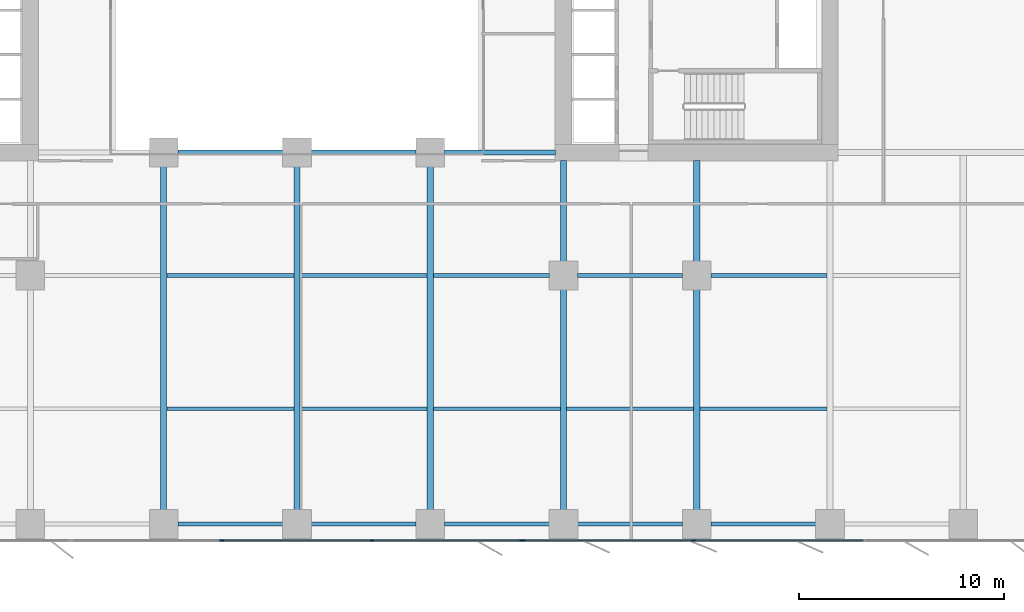
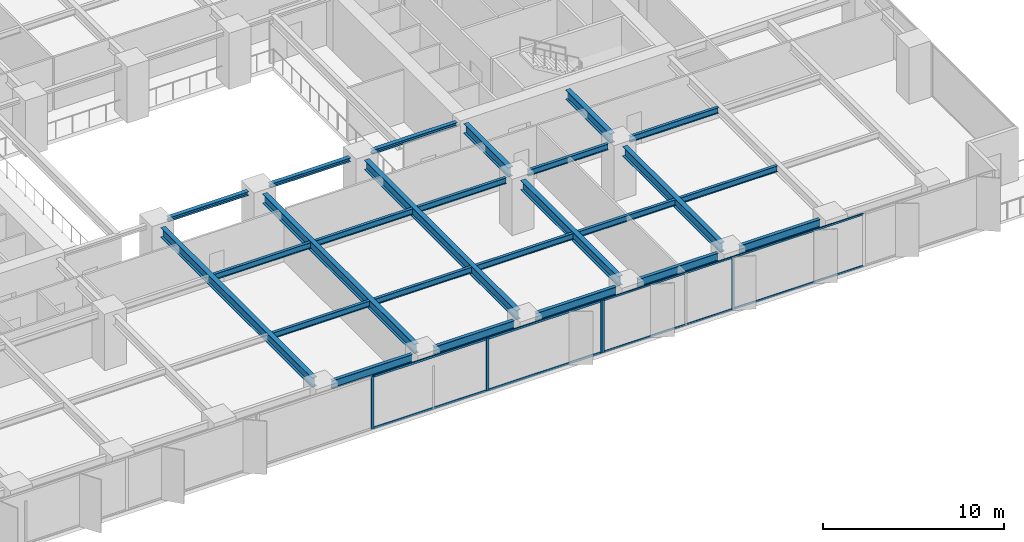
# One storey, part 5 of 20: 25 beams, 13 members, 2 elements without a shape of their own.
"""IFC4 building model written with IfcOpenShell, lengths in metres."""

from ifc_helpers import new_model, si_unit, direction, frame, origin, origin_2d, place, context, subcontext, project, spatial, rectangle, i_section, extrude, material, layer, layer_set, material_profile, profile_set, type_object, element, aggregate, save


model = new_model("IFC4")

# Units and contexts
model_context = context("Model", 3, precision=1e-05, world=origin(), true_north=direction((0.0, 1.0)))
body_context = subcontext(model_context, "Body", "Model", "MODEL_VIEW")
ifc_project = project(units=[si_unit("LENGTHUNIT", "METRE"), si_unit("AREAUNIT", "SQUARE_METRE"), si_unit("VOLUMEUNIT", "CUBIC_METRE"), si_unit("PLANEANGLEUNIT", "RADIAN"), si_unit("MASSUNIT", "GRAM", prefix="KILO")], contexts=[model_context])

# Site, building, storey
site_placement = place(None, origin())
site = spatial("IfcSite", under=ifc_project, at=site_placement, CompositionType="ELEMENT")
building_placement = place(site_placement, origin())
building = spatial("IfcBuilding", under=site, at=building_placement, Name="Putna Gate Headquarters", CompositionType="ELEMENT")
storey_placement = place(building_placement, frame((0.0, 0.0, 43.0)))
storey = spatial("IfcBuildingStorey", under=building, at=storey_placement, Name="L09", CompositionType="ELEMENT", Elevation=43.0)

# Beams
ifc_material_1 = material(Name="Steel S355J2", Category="steel")
ifc_material_profile_1 = material_profile(ifc_material_1, i_section(OverallWidth=0.260009765625, OverallDepth=0.260009765625, WebThickness=0.010009765625, FlangeThickness=0.017578125, at=origin_2d()), Name="Steel S355J2")
ifc_profile_set_1 = profile_set([ifc_material_profile_1], Name="Steel S355J2")
beam_type_1 = type_object("IfcBeamType", Name="BM-ATRIUM-HEB260", PredefinedType="BEAM", material=ifc_profile_set_1)
for number, where, z_axis, x_axis, name in (
    (1, (33.18798828125, 19.0, 3.419921875), (1.0, 0.0, 0.0), (0.0, 1.0, 0.0), "L09 Atrium Edge Beam AS2"),
    (2, (39.68798828125, 19.0, 3.419921875), (1.0, 0.0, 0.0), (0.0, 1.0, 0.0), "L09 Atrium Edge Beam AS3"),
):
    element("IfcBeam", number, at=place(storey_placement, frame(where, z_axis=z_axis, x_axis=x_axis)), inside=storey, type_object=beam_type_1, Name=name, PredefinedType="BEAM", context=body_context, shape_type="SweptSolid", body=[
        extrude(i_section(OverallWidth=0.260009765625, OverallDepth=0.260009765625, WebThickness=0.010009765625, FlangeThickness=0.017578125, at=origin_2d()), origin(), (0.0, 0.0, 1.0), 5.1240234375),
    ])
beam_1_placement = place(storey_placement, frame((46.18798828125, 19.0, 3.419921875), z_axis=(1.0, 0.0, 0.0), x_axis=(0.0, 1.0, 0.0)))
element("IfcBeam", 3, at=beam_1_placement, inside=storey, type_object=beam_type_1, Name="L09 Atrium Edge Beam AS4", PredefinedType="BEAM", context=body_context, shape_type="SweptSolid", body=[
    extrude(i_section(OverallWidth=0.260009765625, OverallDepth=0.260009765625, WebThickness=0.010009765625, FlangeThickness=0.017578125, at=origin_2d()), origin(), (0.0, 0.0, 1.0), 5.427001953125),
])
ifc_material_profile_2 = material_profile(ifc_material_1, i_section(OverallWidth=0.300048828125, OverallDepth=0.64990234375, WebThickness=0.01611328125, FlangeThickness=0.031005859375, at=origin_2d()), Name="Steel S355J2")
ifc_profile_set_2 = profile_set([ifc_material_profile_2], Name="Steel S355J2")
beam_type_2 = type_object("IfcBeamType", Name="BM-GIRD-Z1-HEB650", PredefinedType="USERDEFINED", material=ifc_profile_set_2)
for number, where, z_axis, x_axis, name in (
    (4, (32.5, 1.568115234375, 3.22509765625), (0.0, 1.0, 0.0), (-1.0, 0.0, 0.0), "L09 South Primary Girder X32"),
    (5, (39.0, 1.568115234375, 3.22509765625), (0.0, 1.0, 0.0), (-1.0, 0.0, 0.0), "L09 South Primary Girder X39"),
    (6, (45.5, 1.568115234375, 3.22509765625), (0.0, 1.0, 0.0), (-1.0, 0.0, 0.0), "L09 South Primary Girder X45"),
):
    element("IfcBeam", number, at=place(storey_placement, frame(where, z_axis=z_axis, x_axis=x_axis)), inside=storey, type_object=beam_type_2, Name=name, ObjectType="GIRDER", PredefinedType="USERDEFINED", context=body_context, shape_type="SweptSolid", body=[
        extrude(i_section(OverallWidth=0.300048828125, OverallDepth=0.64990234375, WebThickness=0.01611328125, FlangeThickness=0.031005859375, at=origin_2d()), origin(), (0.0, 0.0, 1.0), 16.743896484375),
    ])
beam_2_placement = place(storey_placement, frame((52.0, 1.568115234375, 3.22509765625), z_axis=(0.0, 1.0, 0.0), x_axis=(-1.0, 0.0, 0.0)))
element("IfcBeam", 7, at=beam_2_placement, inside=storey, type_object=beam_type_2, Name="L09 South Primary Girder X52-1", ObjectType="GIRDER", PredefinedType="USERDEFINED", context=body_context, shape_type="SweptSolid", body=[
    extrude(i_section(OverallWidth=0.300048828125, OverallDepth=0.64990234375, WebThickness=0.01611328125, FlangeThickness=0.031005859375, at=origin_2d()), origin(), (0.0, 0.0, 1.0), 10.743896484375),
])
beam_3_placement = place(storey_placement, frame((52.0, 13.68798828125, 3.22509765625), z_axis=(0.0, 1.0, 0.0), x_axis=(-1.0, 0.0, 0.0)))
element("IfcBeam", 8, at=beam_3_placement, inside=storey, type_object=beam_type_2, Name="L09 South Primary Girder X52-2", ObjectType="GIRDER", PredefinedType="USERDEFINED", context=body_context, shape_type="SweptSolid", body=[
    extrude(i_section(OverallWidth=0.300048828125, OverallDepth=0.64990234375, WebThickness=0.01611328125, FlangeThickness=0.031005859375, at=origin_2d()), origin(), (0.0, 0.0, 1.0), 4.927001953125),
])
beam_4_placement = place(storey_placement, frame((58.5, 1.568115234375, 3.22509765625), z_axis=(0.0, 1.0, 0.0), x_axis=(-1.0, 0.0, 0.0)))
element("IfcBeam", 9, at=beam_4_placement, inside=storey, type_object=beam_type_2, Name="L09 South Primary Girder X58-1", ObjectType="GIRDER", PredefinedType="USERDEFINED", context=body_context, shape_type="SweptSolid", body=[
    extrude(i_section(OverallWidth=0.300048828125, OverallDepth=0.64990234375, WebThickness=0.01611328125, FlangeThickness=0.031005859375, at=origin_2d()), origin(), (0.0, 0.0, 1.0), 10.743896484375),
])
beam_5_placement = place(storey_placement, frame((58.5, 13.68798828125, 3.22509765625), z_axis=(0.0, 1.0, 0.0), x_axis=(-1.0, 0.0, 0.0)))
element("IfcBeam", 10, at=beam_5_placement, inside=storey, type_object=beam_type_2, Name="L09 South Primary Girder X58-2", ObjectType="GIRDER", PredefinedType="USERDEFINED", context=body_context, shape_type="SweptSolid", body=[
    extrude(i_section(OverallWidth=0.300048828125, OverallDepth=0.64990234375, WebThickness=0.01611328125, FlangeThickness=0.031005859375, at=origin_2d()), origin(), (0.0, 0.0, 1.0), 4.927001953125),
])
ifc_material_profile_3 = material_profile(ifc_material_1, i_section(OverallWidth=0.179931640625, OverallDepth=0.39990234375, WebThickness=0.008544921875, FlangeThickness=0.013427734375, at=origin_2d()), Name="Steel S355J2")
ifc_profile_set_3 = profile_set([ifc_material_profile_3], Name="Steel S355J2")
beam_type_3 = type_object("IfcBeamType", Name="BM-SEC-Z1-IPE400", PredefinedType="BEAM", material=ifc_profile_set_3)
for number, where, z_axis, x_axis, name in (
    (11, (32.654052734375, 6.5, 3.35009765625), (1.0, 0.0, 0.0), (0.0, 1.0, 0.0), "L09 South Secondary Beam 5"),
    (12, (32.654052734375, 13.0, 3.35009765625), (1.0, 0.0, 0.0), (0.0, 1.0, 0.0), "L09 South Secondary Beam 5"),
    (13, (39.154052734375, 6.5, 3.35009765625), (1.0, 0.0, 0.0), (0.0, 1.0, 0.0), "L09 South Secondary Beam 6"),
    (14, (39.154052734375, 13.0, 3.35009765625), (1.0, 0.0, 0.0), (0.0, 1.0, 0.0), "L09 South Secondary Beam 6"),
    (15, (45.654052734375, 6.5, 3.35009765625), (1.0, 0.0, 0.0), (0.0, 1.0, 0.0), "L09 South Secondary Beam 7"),
):
    element("IfcBeam", number, at=place(storey_placement, frame(where, z_axis=z_axis, x_axis=x_axis)), inside=storey, type_object=beam_type_3, Name=name, PredefinedType="BEAM", context=body_context, shape_type="SweptSolid", body=[
        extrude(i_section(OverallWidth=0.179931640625, OverallDepth=0.39990234375, WebThickness=0.008544921875, FlangeThickness=0.013427734375, at=origin_2d()), origin(), (0.0, 0.0, 1.0), 6.19189453125),
    ])
beam_6_placement = place(storey_placement, frame((45.654052734375, 13.0, 3.35009765625), z_axis=(1.0, 0.0, 0.0), x_axis=(0.0, 1.0, 0.0)))
element("IfcBeam", 16, at=beam_6_placement, inside=storey, type_object=beam_type_3, Name="L09 South Secondary Beam 7", PredefinedType="BEAM", context=body_context, shape_type="SweptSolid", body=[
    extrude(i_section(OverallWidth=0.179931640625, OverallDepth=0.39990234375, WebThickness=0.008544921875, FlangeThickness=0.013427734375, at=origin_2d()), origin(), (0.0, 0.0, 1.0), 5.657958984375),
])
beam_7_placement = place(storey_placement, frame((52.154052734375, 6.5, 3.35009765625), z_axis=(1.0, 0.0, 0.0), x_axis=(0.0, 1.0, 0.0)))
element("IfcBeam", 17, at=beam_7_placement, inside=storey, type_object=beam_type_3, Name="L09 South Secondary Beam 8", PredefinedType="BEAM", context=body_context, shape_type="SweptSolid", body=[
    extrude(i_section(OverallWidth=0.179931640625, OverallDepth=0.39990234375, WebThickness=0.008544921875, FlangeThickness=0.013427734375, at=origin_2d()), origin(), (0.0, 0.0, 1.0), 6.19189453125),
])
beam_8_placement = place(storey_placement, frame((52.68798828125, 13.0, 3.35009765625), z_axis=(1.0, 0.0, 0.0), x_axis=(0.0, 1.0, 0.0)))
element("IfcBeam", 18, at=beam_8_placement, inside=storey, type_object=beam_type_3, Name="L09 South Secondary Beam 8", PredefinedType="BEAM", context=body_context, shape_type="SweptSolid", body=[
    extrude(i_section(OverallWidth=0.179931640625, OverallDepth=0.39990234375, WebThickness=0.008544921875, FlangeThickness=0.013427734375, at=origin_2d()), origin(), (0.0, 0.0, 1.0), 5.1240234375),
])
beam_9_placement = place(storey_placement, frame((58.654052734375, 6.5, 3.35009765625), z_axis=(1.0, 0.0, 0.0), x_axis=(0.0, 1.0, 0.0)))
element("IfcBeam", 19, at=beam_9_placement, inside=storey, type_object=beam_type_3, Name="L09 South Secondary Beam 9", PredefinedType="BEAM", context=body_context, shape_type="SweptSolid", body=[
    extrude(i_section(OverallWidth=0.179931640625, OverallDepth=0.39990234375, WebThickness=0.008544921875, FlangeThickness=0.013427734375, at=origin_2d()), origin(), (0.0, 0.0, 1.0), 6.19189453125),
])
beam_10_placement = place(storey_placement, frame((59.18798828125, 13.0, 3.35009765625), z_axis=(1.0, 0.0, 0.0), x_axis=(0.0, 1.0, 0.0)))
element("IfcBeam", 20, at=beam_10_placement, inside=storey, type_object=beam_type_3, Name="L09 South Secondary Beam 9", PredefinedType="BEAM", context=body_context, shape_type="SweptSolid", body=[
    extrude(i_section(OverallWidth=0.179931640625, OverallDepth=0.39990234375, WebThickness=0.008544921875, FlangeThickness=0.013427734375, at=origin_2d()), origin(), (0.0, 0.0, 1.0), 5.657958984375),
])
ifc_material_profile_4 = material_profile(ifc_material_1, i_section(OverallWidth=0.2099609375, OverallDepth=0.550048828125, WebThickness=0.010986328125, FlangeThickness=0.01708984375, at=origin_2d()), Name="Steel S355J2")
ifc_profile_set_4 = profile_set([ifc_material_profile_4], Name="Steel S355J2")
beam_type_4 = type_object("IfcBeamType", Name="BM-SPAN-Z1-IPE550", PredefinedType="SPANDREL", material=ifc_profile_set_4)
for number, where, z_axis, x_axis, name in (
    (21, (33.18798828125, 0.8798828125, 3.27490234375), (1.0, 0.0, 0.0), (0.0, 1.0, 0.0), "L09 S Perimeter Spandrel 5"),
    (22, (39.68798828125, 0.8798828125, 3.27490234375), (1.0, 0.0, 0.0), (0.0, 1.0, 0.0), "L09 S Perimeter Spandrel 6"),
    (23, (46.18798828125, 0.8798828125, 3.27490234375), (1.0, 0.0, 0.0), (0.0, 1.0, 0.0), "L09 S Perimeter Spandrel 7"),
    (24, (52.68798828125, 0.8798828125, 3.27490234375), (1.0, 0.0, 0.0), (0.0, 1.0, 0.0), "L09 S Perimeter Spandrel 8"),
    (25, (59.18798828125, 0.8798828125, 3.27490234375), (1.0, 0.0, 0.0), (0.0, 1.0, 0.0), "L09 S Perimeter Spandrel 9"),
):
    element("IfcBeam", number, at=place(storey_placement, frame(where, z_axis=z_axis, x_axis=x_axis)), inside=storey, type_object=beam_type_4, Name=name, PredefinedType="SPANDREL", context=body_context, shape_type="SweptSolid", body=[
        extrude(i_section(OverallWidth=0.2099609375, OverallDepth=0.550048828125, WebThickness=0.010986328125, FlangeThickness=0.01708984375, at=origin_2d()), origin(), (0.0, 0.0, 1.0), 5.1240234375),
    ])

# Curtain wall, members
ifc_material_2 = material(Name="Anodised bronze aluminium curtain wall", Category="aluminium")
ifc_layer_1 = layer(ifc_material_2, 0.179931640625)
ifc_layer_set_1 = layer_set([ifc_layer_1], Name="Anodised bronze aluminium curtain wall")
curtain_wall_type_1 = type_object("IfcCurtainWallType", Name="CW-SYS-Z1", PredefinedType="USERDEFINED", material=ifc_layer_set_1)
curtain_wall_1_placement = place(storey_placement, origin())
curtain_wall_1 = element("IfcCurtainWall", 26, at=curtain_wall_1_placement, inside=storey, type_object=curtain_wall_type_1, Name="L09 South East Curtain Wall", ObjectType="STICK CURTAIN WALL", PredefinedType="USERDEFINED")
ifc_material_3 = material(Name="Anodised bronze aluminium EN AW-6060", Category="aluminium")
ifc_material_profile_5 = material_profile(ifc_material_3, rectangle(XDim=0.070068359375, YDim=0.179931640625, at=origin_2d()), Name="Anodised bronze aluminium EN AW-6060")
ifc_profile_set_5 = profile_set([ifc_material_profile_5], Name="Anodised bronze aluminium EN AW-6060")
member_type_1 = type_object("IfcMemberType", Name="MULL-CWM-1", PredefinedType="MULLION", material=ifc_profile_set_5)
member_1_placement = place(storey_placement, frame((50.034912109375, 0.080078125, 0.0), z_axis=(0.0, 0.0, 1.0), x_axis=(0.0, 1.0, 0.0)))
member_1 = element("IfcMember", 27, at=member_1_placement, type_object=member_type_1, Name="CWS-1 mullion 1", PredefinedType="MULLION", context=body_context, shape_type="SweptSolid", body=[
    extrude(rectangle(XDim=0.070068359375, YDim=0.179931640625, at=origin_2d()), origin(), (0.0, 0.0, 1.0), 3.550048828125),
])
member_2_placement = place(storey_placement, frame((58.333251953125, 0.080078125, 0.0), z_axis=(0.0, 0.0, 1.0), x_axis=(0.0, 1.0, 0.0)))
member_2 = element("IfcMember", 28, at=member_2_placement, type_object=member_type_1, Name="CWS-1 mullion 2", PredefinedType="MULLION", context=body_context, shape_type="SweptSolid", body=[
    extrude(rectangle(XDim=0.070068359375, YDim=0.179931640625, at=origin_2d()), origin(), (0.0, 0.0, 1.0), 3.550048828125),
])

ifc_layer_2 = layer(ifc_material_2, 0.179931640625)
ifc_layer_set_2 = layer_set([ifc_layer_2], Name="Anodised bronze aluminium curtain wall")
curtain_wall_type_2 = type_object("IfcCurtainWallType", Name="CW-SYS-ATR", PredefinedType="USERDEFINED", material=ifc_layer_set_2)
curtain_wall_2_placement = place(storey_placement, origin())
curtain_wall_2 = element("IfcCurtainWall", 29, at=curtain_wall_2_placement, inside=storey, type_object=curtain_wall_type_2, Name="L09 South Atrium Clear Glazing", ObjectType="ATRIUM GLAZING", PredefinedType="USERDEFINED")
ifc_material_profile_6 = material_profile(ifc_material_3, rectangle(XDim=0.070068359375, YDim=0.179931640625, at=origin_2d()), Name="Anodised bronze aluminium EN AW-6060")
ifc_profile_set_6 = profile_set([ifc_material_profile_6], Name="Anodised bronze aluminium EN AW-6060")
member_type_2 = type_object("IfcMemberType", Name="MULL-CWM-AT", PredefinedType="MULLION", material=ifc_profile_set_6)
member_3_placement = place(storey_placement, frame((35.333251953125, 0.080078125, 0.0), z_axis=(0.0, 0.0, 1.0), x_axis=(0.0, 1.0, 0.0)))
member_3 = element("IfcMember", 30, at=member_3_placement, type_object=member_type_2, Name="CWS-AT mullion 2", PredefinedType="MULLION", context=body_context, shape_type="SweptSolid", body=[
    extrude(rectangle(XDim=0.070068359375, YDim=0.179931640625, at=origin_2d()), origin(), (0.0, 0.0, 1.0), 3.550048828125),
])
member_4_placement = place(storey_placement, frame((42.666748046875, 0.080078125, 0.0), z_axis=(0.0, 0.0, 1.0), x_axis=(0.0, 1.0, 0.0)))
member_4 = element("IfcMember", 31, at=member_4_placement, type_object=member_type_2, Name="CWS-AT mullion 3", PredefinedType="MULLION", context=body_context, shape_type="SweptSolid", body=[
    extrude(rectangle(XDim=0.070068359375, YDim=0.179931640625, at=origin_2d()), origin(), (0.0, 0.0, 1.0), 3.550048828125),
])
member_5_placement = place(storey_placement, frame((49.965087890625, 0.080078125, 0.0), z_axis=(0.0, 0.0, 1.0), x_axis=(0.0, 1.0, 0.0)))
member_5 = element("IfcMember", 32, at=member_5_placement, type_object=member_type_2, Name="CWS-AT mullion 4", PredefinedType="MULLION", context=body_context, shape_type="SweptSolid", body=[
    extrude(rectangle(XDim=0.070068359375, YDim=0.179931640625, at=origin_2d()), origin(), (0.0, 0.0, 1.0), 3.550048828125),
])

# Member
ifc_material_profile_7 = material_profile(ifc_material_3, rectangle(XDim=0.06494140625, YDim=0.1201171875, at=origin_2d()), Name="Anodised bronze aluminium EN AW-6060")
ifc_profile_set_7 = profile_set([ifc_material_profile_7], Name="Anodised bronze aluminium EN AW-6060")
member_type_3 = type_object("IfcMemberType", Name="TRAN-CWT-1", PredefinedType="USERDEFINED", material=ifc_profile_set_7)
member_6_placement = place(storey_placement, frame((50.070068359375, 0.080078125, 0.032470703125), z_axis=(1.0, 0.0, 0.0), x_axis=(0.0, 1.0, 0.0)))
member_6 = element("IfcMember", 33, at=member_6_placement, type_object=member_type_3, Name="CWS-1 transom 1.1", ObjectType="TRANSOM", PredefinedType="USERDEFINED", context=body_context, shape_type="SweptSolid", body=[
    extrude(rectangle(XDim=0.06494140625, YDim=0.1201171875, at=origin_2d()), origin(), (0.0, 0.0, 1.0), 8.228271484375),
])

member_7_placement = place(storey_placement, frame((50.070068359375, 0.080078125, 3.517578125), z_axis=(1.0, 0.0, 0.0), x_axis=(0.0, 1.0, 0.0)))
member_7 = element("IfcMember", 34, at=member_7_placement, type_object=member_type_3, Name="CWS-1 transom 1.2", ObjectType="TRANSOM", PredefinedType="USERDEFINED", context=body_context, shape_type="SweptSolid", body=[
    extrude(rectangle(XDim=0.06494140625, YDim=0.1201171875, at=origin_2d()), origin(), (0.0, 0.0, 1.0), 8.228271484375),
])

member_8_placement = place(storey_placement, frame((58.368408203125, 0.080078125, 0.032470703125), z_axis=(1.0, 0.0, 0.0), x_axis=(0.0, 1.0, 0.0)))
member_8 = element("IfcMember", 35, at=member_8_placement, type_object=member_type_3, Name="CWS-1 transom 2.1", ObjectType="TRANSOM", PredefinedType="USERDEFINED", context=body_context, shape_type="SweptSolid", body=[
    extrude(rectangle(XDim=0.06494140625, YDim=0.1201171875, at=origin_2d()), origin(), (0.0, 0.0, 1.0), 8.26318359375),
])

member_9_placement = place(storey_placement, frame((58.368408203125, 0.080078125, 3.517578125), z_axis=(1.0, 0.0, 0.0), x_axis=(0.0, 1.0, 0.0)))
member_9 = element("IfcMember", 36, at=member_9_placement, type_object=member_type_3, Name="CWS-1 transom 2.2", ObjectType="TRANSOM", PredefinedType="USERDEFINED", context=body_context, shape_type="SweptSolid", body=[
    extrude(rectangle(XDim=0.06494140625, YDim=0.1201171875, at=origin_2d()), origin(), (0.0, 0.0, 1.0), 8.26318359375),
])

aggregate(curtain_wall_1, [member_1, member_2, member_6, member_7, member_8, member_9])

ifc_material_profile_8 = material_profile(ifc_material_3, rectangle(XDim=0.070068359375, YDim=0.139892578125, at=origin_2d()), Name="Anodised bronze aluminium EN AW-6060")
ifc_profile_set_8 = profile_set([ifc_material_profile_8], Name="Anodised bronze aluminium EN AW-6060")
member_type_4 = type_object("IfcMemberType", Name="TRAN-CWT-AT", PredefinedType="USERDEFINED", material=ifc_profile_set_8)
member_10_placement = place(storey_placement, frame((35.368408203125, 0.080078125, 0.034912109375), z_axis=(1.0, 0.0, 0.0), x_axis=(0.0, 1.0, 0.0)))
member_10 = element("IfcMember", 37, at=member_10_placement, type_object=member_type_4, Name="CWS-AT transom 2.1", ObjectType="TRANSOM", PredefinedType="USERDEFINED", context=body_context, shape_type="SweptSolid", body=[
    extrude(rectangle(XDim=0.070068359375, YDim=0.139892578125, at=origin_2d()), origin(), (0.0, 0.0, 1.0), 7.26318359375),
])

member_11_placement = place(storey_placement, frame((35.368408203125, 0.080078125, 3.514892578125), z_axis=(1.0, 0.0, 0.0), x_axis=(0.0, 1.0, 0.0)))
member_11 = element("IfcMember", 38, at=member_11_placement, type_object=member_type_4, Name="CWS-AT transom 2.2", ObjectType="TRANSOM", PredefinedType="USERDEFINED", context=body_context, shape_type="SweptSolid", body=[
    extrude(rectangle(XDim=0.070068359375, YDim=0.139892578125, at=origin_2d()), origin(), (0.0, 0.0, 1.0), 7.26318359375),
])

member_12_placement = place(storey_placement, frame((42.70166015625, 0.080078125, 0.034912109375), z_axis=(1.0, 0.0, 0.0), x_axis=(0.0, 1.0, 0.0)))
member_12 = element("IfcMember", 39, at=member_12_placement, type_object=member_type_4, Name="CWS-AT transom 3.1", ObjectType="TRANSOM", PredefinedType="USERDEFINED", context=body_context, shape_type="SweptSolid", body=[
    extrude(rectangle(XDim=0.070068359375, YDim=0.139892578125, at=origin_2d()), origin(), (0.0, 0.0, 1.0), 7.228271484375),
])

member_13_placement = place(storey_placement, frame((42.70166015625, 0.080078125, 3.514892578125), z_axis=(1.0, 0.0, 0.0), x_axis=(0.0, 1.0, 0.0)))
member_13 = element("IfcMember", 40, at=member_13_placement, type_object=member_type_4, Name="CWS-AT transom 3.2", ObjectType="TRANSOM", PredefinedType="USERDEFINED", context=body_context, shape_type="SweptSolid", body=[
    extrude(rectangle(XDim=0.070068359375, YDim=0.139892578125, at=origin_2d()), origin(), (0.0, 0.0, 1.0), 7.228271484375),
])

aggregate(curtain_wall_2, [member_3, member_4, member_5, member_10, member_11, member_12, member_13])

save(model, "model.ifc")
